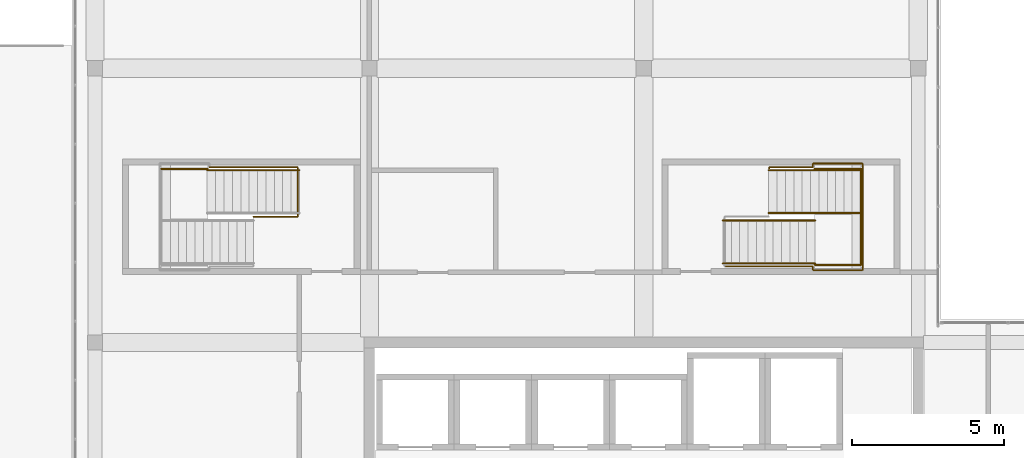
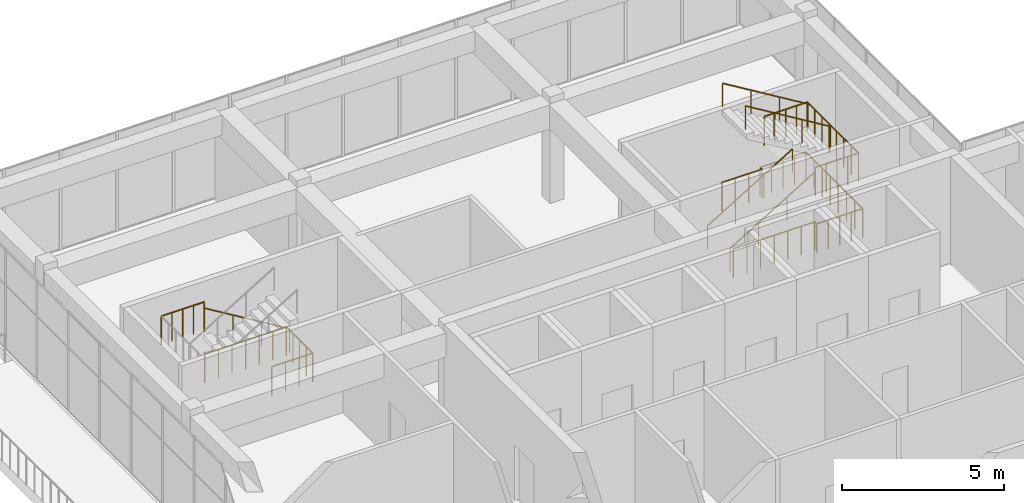
# One storey, part 34 of 34: 11 railings.
"""IFC4 building model written with IfcOpenShell, lengths in metres."""

from ifc_helpers import new_model, si_unit, direction, frame, origin, origin_2d, place, context, subcontext, project, spatial, circle, extrude, material, type_object, element, save


model = new_model("IFC4")

# Units and contexts
model_context = context("Model", 3, precision=1e-05, world=origin(), true_north=direction((0.0, 1.0)))
body_context = subcontext(model_context, "Body", "Model", "MODEL_VIEW")
ifc_project = project(units=[si_unit("LENGTHUNIT", "METRE"), si_unit("AREAUNIT", "SQUARE_METRE"), si_unit("VOLUMEUNIT", "CUBIC_METRE"), si_unit("PLANEANGLEUNIT", "RADIAN"), si_unit("MASSUNIT", "GRAM", prefix="KILO")], contexts=[model_context])

# Site, building, storey
site_placement = place(None, origin())
site = spatial("IfcSite", under=ifc_project, at=site_placement, CompositionType="ELEMENT")
building_placement = place(site_placement, origin())
building = spatial("IfcBuilding", under=site, at=building_placement, Name="Tuart Plaza Theatre", CompositionType="ELEMENT")
storey_placement = place(building_placement, frame((0.0, 0.0, 53.5)))
storey = spatial("IfcBuildingStorey", under=building, at=storey_placement, Name="L13", CompositionType="ELEMENT", Elevation=53.5)

# Railings
ifc_material_1 = material(Name="Steel Grade C350L0", Category="steel")
railing_type_1 = type_object("IfcRailingType", Name="RAILING Guard 1100", PredefinedType="GUARDRAIL", material=ifc_material_1)
railing_1_placement = place(storey_placement, frame((136.114990234375, 88.705078125, 0.0)))
element("IfcRailing", 1, at=railing_1_placement, inside=storey, type_object=railing_type_1, Name="GR339", PredefinedType="GUARDRAIL", context=body_context, shape_type="SweptSolid", body=[
    extrude(circle(Radius=0.02490234375, at=origin_2d()), frame((0.0, 0.0, 1.0751953125), z_axis=(0.0, 1.0, 0.0), x_axis=(-1.0, 0.0, 0.0)), (0.0, 0.0, 1.0), 0.044921875),
    extrude(circle(Radius=0.02490234375, at=origin_2d()), frame((0.0, 0.044921875, 1.0751953125), z_axis=(1.0, 0.0, 0.0), x_axis=(0.0, 1.0, 0.0)), (0.0, 0.0, 1.0), 1.43505859375),
    extrude(circle(Radius=0.02490234375, at=origin_2d()), frame((1.43505859375, 0.044921875, 1.0751953125), z_axis=(0.0, 1.0, 0.0), x_axis=(-1.0, 0.0, 0.0)), (0.0, 0.0, 1.0), 0.123046875),
    extrude(circle(Radius=0.02490234375, at=origin_2d()), frame((1.43505859375, 0.16796875, 1.0751953125), z_axis=(1.0, 0.0, 0.0), x_axis=(0.0, 1.0, 0.0)), (0.0, 0.0, 1.0), 1.6298828125),
    extrude(circle(Radius=0.02490234375, at=origin_2d()), frame((3.06494140625, 0.16796875, 1.0751953125), z_axis=(0.0, -1.0, 0.0), x_axis=(1.0, 0.0, 0.0)), (0.0, 0.0, 1.0), 3.49609375),
    extrude(circle(Radius=0.02490234375, at=origin_2d()), frame((3.06494140625, -3.328125, 1.0751953125), z_axis=(-1.0, 0.0, 0.0), x_axis=(0.0, -1.0, 0.0)), (0.0, 0.0, 1.0), 1.6298828125),
    extrude(circle(Radius=0.02490234375, at=origin_2d()), frame((1.43505859375, -3.328125, 1.0751953125), z_axis=(0.0, 1.0, 0.0), x_axis=(-1.0, 0.0, 0.0)), (0.0, 0.0, 1.0), 0.123046875),
    extrude(circle(Radius=0.02490234375, at=origin_2d()), frame((1.43505859375, -3.205078125, 1.0751953125), z_axis=(-1.0, 0.0, 0.0), x_axis=(0.0, -1.0, 0.0)), (0.0, 0.0, 1.0), 2.89501953125),
    extrude(circle(Radius=0.02001953125, at=origin_2d()), origin(), (0.0, 0.0, 1.0), 1.050048828125),
    extrude(circle(Radius=0.02001953125, at=origin_2d()), frame((0.0, 0.044921875, 0.0)), (0.0, 0.0, 1.0), 1.050048828125),
    extrude(circle(Radius=0.02001953125, at=origin_2d()), frame((0.478271484375, 0.044921875, 0.0)), (0.0, 0.0, 1.0), 1.050048828125),
    extrude(circle(Radius=0.02001953125, at=origin_2d()), frame((0.956787109375, 0.044921875, 0.0)), (0.0, 0.0, 1.0), 1.050048828125),
    extrude(circle(Radius=0.02001953125, at=origin_2d()), frame((1.43505859375, 0.044921875, 0.0)), (0.0, 0.0, 1.0), 1.050048828125),
    extrude(circle(Radius=0.02001953125, at=origin_2d()), frame((1.43505859375, 0.16796875, 0.0)), (0.0, 0.0, 1.0), 1.050048828125),
    extrude(circle(Radius=0.02001953125, at=origin_2d()), frame((1.842529296875, 0.16796875, 0.0)), (0.0, 0.0, 1.0), 1.050048828125),
    extrude(circle(Radius=0.02001953125, at=origin_2d()), frame((2.25, 0.16796875, 0.0)), (0.0, 0.0, 1.0), 1.050048828125),
    extrude(circle(Radius=0.02001953125, at=origin_2d()), frame((2.657470703125, 0.16796875, 0.0)), (0.0, 0.0, 1.0), 1.050048828125),
    extrude(circle(Radius=0.02001953125, at=origin_2d()), frame((3.06494140625, 0.16796875, 0.0)), (0.0, 0.0, 1.0), 1.050048828125),
    extrude(circle(Radius=0.02001953125, at=origin_2d()), frame((3.06494140625, -0.33154296875, 0.0)), (0.0, 0.0, 1.0), 1.050048828125),
    extrude(circle(Radius=0.02001953125, at=origin_2d()), frame((3.06494140625, -0.830810546875, 0.0)), (0.0, 0.0, 1.0), 1.050048828125),
    extrude(circle(Radius=0.02001953125, at=origin_2d()), frame((3.06494140625, -1.330322265625, 0.0)), (0.0, 0.0, 1.0), 1.050048828125),
    extrude(circle(Radius=0.02001953125, at=origin_2d()), frame((3.06494140625, -1.829833984375, 0.0)), (0.0, 0.0, 1.0), 1.050048828125),
    extrude(circle(Radius=0.02001953125, at=origin_2d()), frame((3.06494140625, -2.329345703125, 0.0)), (0.0, 0.0, 1.0), 1.050048828125),
    extrude(circle(Radius=0.02001953125, at=origin_2d()), frame((3.06494140625, -2.82861328125, 0.0)), (0.0, 0.0, 1.0), 1.050048828125),
    extrude(circle(Radius=0.02001953125, at=origin_2d()), frame((3.06494140625, -3.328125, 0.0)), (0.0, 0.0, 1.0), 1.050048828125),
    extrude(circle(Radius=0.02001953125, at=origin_2d()), frame((2.657470703125, -3.328125, 0.0)), (0.0, 0.0, 1.0), 1.050048828125),
    extrude(circle(Radius=0.02001953125, at=origin_2d()), frame((2.25, -3.328125, 0.0)), (0.0, 0.0, 1.0), 1.050048828125),
    extrude(circle(Radius=0.02001953125, at=origin_2d()), frame((1.842529296875, -3.328125, 0.0)), (0.0, 0.0, 1.0), 1.050048828125),
    extrude(circle(Radius=0.02001953125, at=origin_2d()), frame((1.43505859375, -3.328125, 0.0)), (0.0, 0.0, 1.0), 1.050048828125),
    extrude(circle(Radius=0.02001953125, at=origin_2d()), frame((1.43505859375, -3.205078125, 0.0)), (0.0, 0.0, 1.0), 1.050048828125),
    extrude(circle(Radius=0.02001953125, at=origin_2d()), frame((0.95263671875, -3.205078125, 0.0)), (0.0, 0.0, 1.0), 1.050048828125),
    extrude(circle(Radius=0.02001953125, at=origin_2d()), frame((0.469970703125, -3.205078125, 0.0)), (0.0, 0.0, 1.0), 1.050048828125),
    extrude(circle(Radius=0.02001953125, at=origin_2d()), frame((-0.012451171875, -3.205078125, 0.0)), (0.0, 0.0, 1.0), 1.050048828125),
    extrude(circle(Radius=0.02001953125, at=origin_2d()), frame((-0.494873046875, -3.205078125, 0.0)), (0.0, 0.0, 1.0), 1.050048828125),
    extrude(circle(Radius=0.02001953125, at=origin_2d()), frame((-0.9775390625, -3.205078125, 0.0)), (0.0, 0.0, 1.0), 1.050048828125),
    extrude(circle(Radius=0.02001953125, at=origin_2d()), frame((-1.4599609375, -3.205078125, 0.0)), (0.0, 0.0, 1.0), 1.050048828125),
])
railing_2_placement = place(storey_placement, frame((137.60009765625, 85.550048828125, 2.0)))
element("IfcRailing", 2, at=railing_2_placement, inside=storey, type_object=railing_type_1, Name="GR345", PredefinedType="GUARDRAIL", context=body_context, shape_type="SweptSolid", body=[
    extrude(circle(Radius=0.02490234375, at=origin_2d()), frame((0.0, 0.0, 1.0751953125), z_axis=(1.0, 0.0, 0.0), x_axis=(0.0, 1.0, 0.0)), (0.0, 0.0, 1.0), 1.52978515625),
    extrude(circle(Radius=0.02001953125, at=origin_2d()), origin(), (0.0, 0.0, 1.0), 1.050048828125),
    extrude(circle(Radius=0.02001953125, at=origin_2d()), frame((0.38232421875, 0.0, 0.0)), (0.0, 0.0, 1.0), 1.050048828125),
    extrude(circle(Radius=0.02001953125, at=origin_2d()), frame((0.764892578125, 0.0, 0.0)), (0.0, 0.0, 1.0), 1.050048828125),
    extrude(circle(Radius=0.02001953125, at=origin_2d()), frame((1.1474609375, 0.0, 0.0)), (0.0, 0.0, 1.0), 1.050048828125),
    extrude(circle(Radius=0.02001953125, at=origin_2d()), frame((1.52978515625, 0.0, 0.0)), (0.0, 0.0, 1.0), 1.050048828125),
])
railing_3_placement = place(storey_placement, frame((139.1298828125, 85.550048828125, 2.0)))
element("IfcRailing", 3, at=railing_3_placement, inside=storey, type_object=railing_type_1, Name="GR346", PredefinedType="GUARDRAIL", context=body_context, shape_type="SweptSolid", body=[
    extrude(circle(Radius=0.02490234375, at=origin_2d()), frame((0.0, 0.0, 1.0751953125), z_axis=(0.0, 1.0, 0.0), x_axis=(-1.0, 0.0, 0.0)), (0.0, 0.0, 1.0), 3.14990234375),
    extrude(circle(Radius=0.02001953125, at=origin_2d()), origin(), (0.0, 0.0, 1.0), 1.050048828125),
    extrude(circle(Radius=0.02001953125, at=origin_2d()), frame((0.0, 0.449951171875, 0.0)), (0.0, 0.0, 1.0), 1.050048828125),
    extrude(circle(Radius=0.02001953125, at=origin_2d()), frame((0.0, 0.89990234375, 0.0)), (0.0, 0.0, 1.0), 1.050048828125),
    extrude(circle(Radius=0.02001953125, at=origin_2d()), frame((0.0, 1.349853515625, 0.0)), (0.0, 0.0, 1.0), 1.050048828125),
    extrude(circle(Radius=0.02001953125, at=origin_2d()), frame((0.0, 1.800048828125, 0.0)), (0.0, 0.0, 1.0), 1.050048828125),
    extrude(circle(Radius=0.02001953125, at=origin_2d()), frame((0.0, 2.25, 0.0)), (0.0, 0.0, 1.0), 1.050048828125),
    extrude(circle(Radius=0.02001953125, at=origin_2d()), frame((0.0, 2.699951171875, 0.0)), (0.0, 0.0, 1.0), 1.050048828125),
    extrude(circle(Radius=0.02001953125, at=origin_2d()), frame((0.0, 3.14990234375, 0.0)), (0.0, 0.0, 1.0), 1.050048828125),
])
railing_4_placement = place(storey_placement, frame((139.1298828125, 88.699951171875, 2.0)))
element("IfcRailing", 4, at=railing_4_placement, inside=storey, type_object=railing_type_1, Name="GR347", PredefinedType="GUARDRAIL", context=body_context, shape_type="SweptSolid", body=[
    extrude(circle(Radius=0.02490234375, at=origin_2d()), frame((0.0, 0.0, 1.0751953125), z_axis=(-1.0, 0.0, 0.0), x_axis=(0.0, -1.0, 0.0)), (0.0, 0.0, 1.0), 1.52978515625),
    extrude(circle(Radius=0.02001953125, at=origin_2d()), origin(), (0.0, 0.0, 1.0), 1.050048828125),
    extrude(circle(Radius=0.02001953125, at=origin_2d()), frame((-0.38232421875, 0.0, 0.0)), (0.0, 0.0, 1.0), 1.050048828125),
    extrude(circle(Radius=0.02001953125, at=origin_2d()), frame((-0.764892578125, 0.0, 0.0)), (0.0, 0.0, 1.0), 1.050048828125),
    extrude(circle(Radius=0.02001953125, at=origin_2d()), frame((-1.1474609375, 0.0, 0.0)), (0.0, 0.0, 1.0), 1.050048828125),
    extrude(circle(Radius=0.02001953125, at=origin_2d()), frame((-1.52978515625, 0.0, 0.0)), (0.0, 0.0, 1.0), 1.050048828125),
])
railing_5_placement = place(storey_placement, frame((117.75, 88.75, 0.0)))
element("IfcRailing", 5, at=railing_5_placement, inside=storey, type_object=railing_type_1, Name="GR417", PredefinedType="GUARDRAIL", context=body_context, shape_type="SweptSolid", body=[
    extrude(circle(Radius=0.02490234375, at=origin_2d()), frame((0.0, 0.0, 1.0751953125), z_axis=(1.0, 0.0, 0.0), x_axis=(0.0, 1.0, 0.0)), (0.0, 0.0, 1.0), 2.89501953125),
    extrude(circle(Radius=0.02490234375, at=origin_2d()), frame((2.89501953125, 0.0, 1.0751953125), z_axis=(0.0, -1.0, 0.0), x_axis=(1.0, 0.0, 0.0)), (0.0, 0.0, 1.0), 1.625),
    extrude(circle(Radius=0.02490234375, at=origin_2d()), frame((2.89501953125, -1.625, 1.0751953125), z_axis=(-1.0, 0.0, 0.0), x_axis=(0.0, -1.0, 0.0)), (0.0, 0.0, 1.0), 1.455078125),
    extrude(circle(Radius=0.02001953125, at=origin_2d()), origin(), (0.0, 0.0, 1.0), 1.050048828125),
    extrude(circle(Radius=0.02001953125, at=origin_2d()), frame((0.482421875, 0.0, 0.0)), (0.0, 0.0, 1.0), 1.050048828125),
    extrude(circle(Radius=0.02001953125, at=origin_2d()), frame((0.965087890625, 0.0, 0.0)), (0.0, 0.0, 1.0), 1.050048828125),
    extrude(circle(Radius=0.02001953125, at=origin_2d()), frame((1.447509765625, 0.0, 0.0)), (0.0, 0.0, 1.0), 1.050048828125),
    extrude(circle(Radius=0.02001953125, at=origin_2d()), frame((1.929931640625, 0.0, 0.0)), (0.0, 0.0, 1.0), 1.050048828125),
    extrude(circle(Radius=0.02001953125, at=origin_2d()), frame((2.41259765625, 0.0, 0.0)), (0.0, 0.0, 1.0), 1.050048828125),
    extrude(circle(Radius=0.02001953125, at=origin_2d()), frame((2.89501953125, 0.0, 0.0)), (0.0, 0.0, 1.0), 1.050048828125),
    extrude(circle(Radius=0.02001953125, at=origin_2d()), frame((2.89501953125, -0.40625, 0.0)), (0.0, 0.0, 1.0), 1.050048828125),
    extrude(circle(Radius=0.02001953125, at=origin_2d()), frame((2.89501953125, -0.8125, 0.0)), (0.0, 0.0, 1.0), 1.050048828125),
    extrude(circle(Radius=0.02001953125, at=origin_2d()), frame((2.89501953125, -1.21875, 0.0)), (0.0, 0.0, 1.0), 1.050048828125),
    extrude(circle(Radius=0.02001953125, at=origin_2d()), frame((2.89501953125, -1.625, 0.0)), (0.0, 0.0, 1.0), 1.050048828125),
    extrude(circle(Radius=0.02001953125, at=origin_2d()), frame((2.409912109375, -1.625, 0.0)), (0.0, 0.0, 1.0), 1.050048828125),
    extrude(circle(Radius=0.02001953125, at=origin_2d()), frame((1.925048828125, -1.625, 0.0)), (0.0, 0.0, 1.0), 1.050048828125),
    extrude(circle(Radius=0.02001953125, at=origin_2d()), frame((1.43994140625, -1.625, 0.0)), (0.0, 0.0, 1.0), 1.050048828125),
])
railing_6_placement = place(storey_placement, frame((117.699951171875, 88.699951171875, 2.0)))
element("IfcRailing", 6, at=railing_6_placement, inside=storey, type_object=railing_type_1, Name="GR424", PredefinedType="GUARDRAIL", context=body_context, shape_type="SweptSolid", body=[
    extrude(circle(Radius=0.02490234375, at=origin_2d()), frame((0.0, 0.0, 1.0751953125), z_axis=(-1.0, 0.0, 0.0), x_axis=(0.0, -1.0, 0.0)), (0.0, 0.0, 1.0), 1.530029296875),
    extrude(circle(Radius=0.02001953125, at=origin_2d()), origin(), (0.0, 0.0, 1.0), 1.050048828125),
    extrude(circle(Radius=0.02001953125, at=origin_2d()), frame((-0.382568359375, 0.0, 0.0)), (0.0, 0.0, 1.0), 1.050048828125),
    extrude(circle(Radius=0.02001953125, at=origin_2d()), frame((-0.76513671875, 0.0, 0.0)), (0.0, 0.0, 1.0), 1.050048828125),
    extrude(circle(Radius=0.02001953125, at=origin_2d()), frame((-1.1474609375, 0.0, 0.0)), (0.0, 0.0, 1.0), 1.050048828125),
    extrude(circle(Radius=0.02001953125, at=origin_2d()), frame((-1.530029296875, 0.0, 0.0)), (0.0, 0.0, 1.0), 1.050048828125),
])
ifc_material_2 = material(Name="Steel Grade C350L0", Category="steel")
railing_type_2 = type_object("IfcRailingType", Name="RAILING Handrail 900", PredefinedType="HANDRAIL", material=ifc_material_2)
for number, where, name in (
    (7, (134.594970703125, 87.0, 0.166748046875), "HR231"),
    (8, (134.594970703125, 85.60009765625, 0.166748046875), "HR232"),
):
    element("IfcRailing", number, at=place(storey_placement, frame(where)), inside=storey, type_object=railing_type_2, Name=name, PredefinedType="HANDRAIL", context=body_context, shape_type="SweptSolid", body=[
        extrude(circle(Radius=0.0224609375, at=origin_2d()), frame((0.0, 0.0, 0.87744140625), z_axis=(0.855219153138, 0.0, 0.518266533848), x_axis=(0.0, 1.0, 0.0)), (0.0, 0.0, 1.0), 3.537353515625),
        extrude(circle(Radius=0.01513671875, at=origin_2d()), origin(), (0.0, 0.0, 1.0), 0.85498046875),
        extrude(circle(Radius=0.01513671875, at=origin_2d()), frame((1.00830078125, 0.0, 0.611083984375)), (0.0, 0.0, 1.0), 0.85498046875),
        extrude(circle(Radius=0.01513671875, at=origin_2d()), frame((2.016845703125, 0.0, 1.22216796875)), (0.0, 0.0, 1.0), 0.85498046875),
        extrude(circle(Radius=0.01513671875, at=origin_2d()), frame((3.025146484375, 0.0, 1.833251953125)), (0.0, 0.0, 1.0), 0.85498046875),
    ])
for number, where, name in (
    (9, (139.1201171875, 87.25, 2.166748046875), "HR233"),
    (10, (139.1201171875, 88.64990234375, 2.166748046875), "HR234"),
    (11, (120.705078125, 88.64990234375, 0.166748046875), "HR296"),
):
    element("IfcRailing", number, at=place(storey_placement, frame(where)), inside=storey, type_object=railing_type_2, Name=name, PredefinedType="HANDRAIL", context=body_context, shape_type="SweptSolid", body=[
        extrude(circle(Radius=0.0224609375, at=origin_2d()), frame((0.0, 0.0, 0.87744140625), z_axis=(-0.855219153138, 0.0, 0.518266533848), x_axis=(0.0, -1.0, 0.0)), (0.0, 0.0, 1.0), 3.537353515625),
        extrude(circle(Radius=0.01513671875, at=origin_2d()), origin(), (0.0, 0.0, 1.0), 0.85498046875),
        extrude(circle(Radius=0.01513671875, at=origin_2d()), frame((-1.00830078125, 0.0, 0.611083984375)), (0.0, 0.0, 1.0), 0.85498046875),
        extrude(circle(Radius=0.01513671875, at=origin_2d()), frame((-2.016845703125, 0.0, 1.22216796875)), (0.0, 0.0, 1.0), 0.85498046875),
        extrude(circle(Radius=0.01513671875, at=origin_2d()), frame((-3.025146484375, 0.0, 1.833251953125)), (0.0, 0.0, 1.0), 0.85498046875),
    ])

save(model, "model.ifc")
